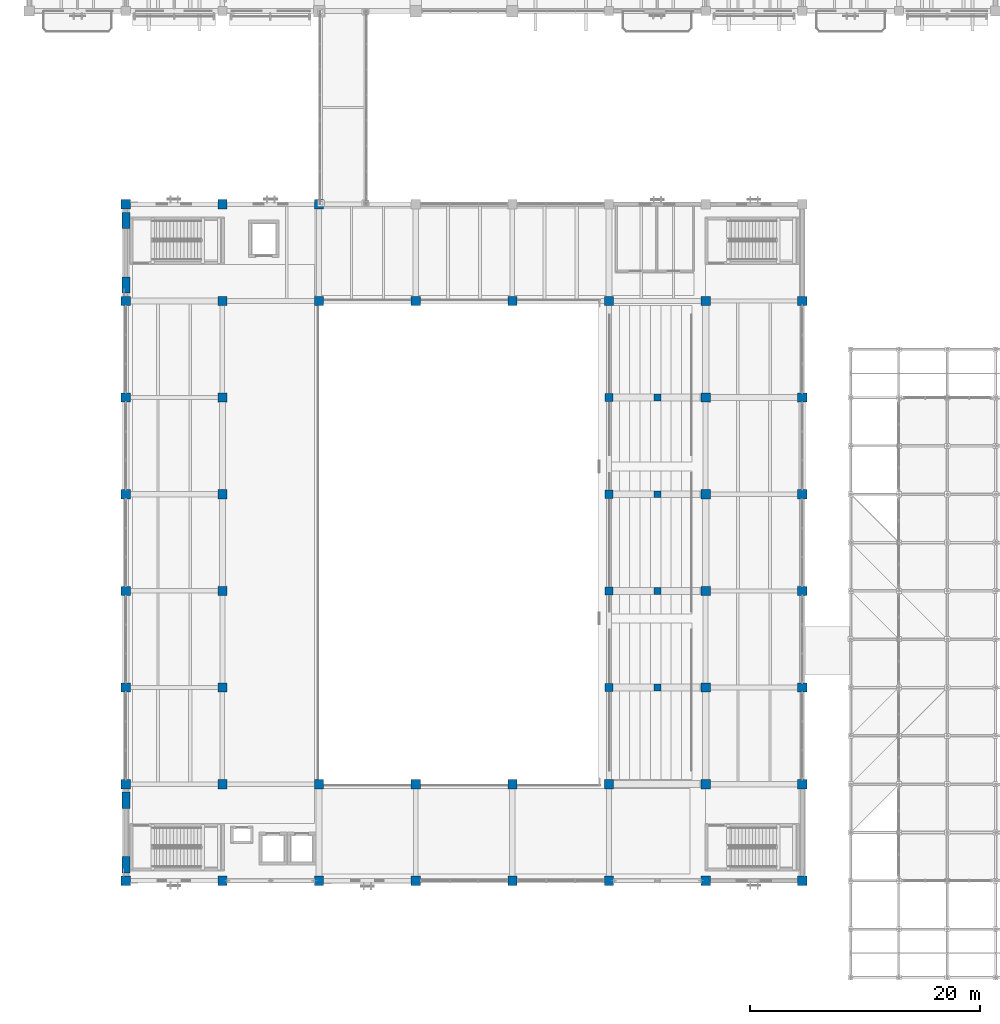
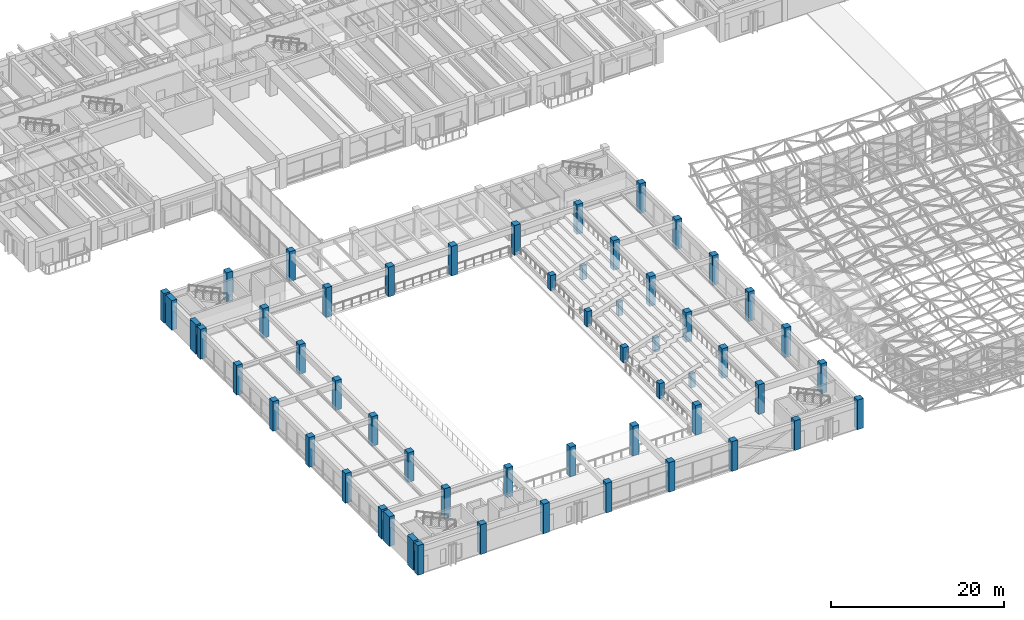
# One storey, part 1 of 132: 55 columns.
"""IFC4 building model written with IfcOpenShell, lengths in metres."""

from ifc_helpers import new_model, si_unit, direction, frame, origin, origin_2d, place, context, subcontext, project, spatial, rectangle, extrude, material, material_profile, profile_set, type_object, element, save


model = new_model("IFC4")

# Units and contexts
model_context = context("Model", 3, precision=1e-05, world=origin(), true_north=direction((0.0, 1.0)))
body_context = subcontext(model_context, "Body", "Model", "MODEL_VIEW")
ifc_project = project(units=[si_unit("LENGTHUNIT", "METRE"), si_unit("AREAUNIT", "SQUARE_METRE"), si_unit("VOLUMEUNIT", "CUBIC_METRE"), si_unit("PLANEANGLEUNIT", "RADIAN"), si_unit("MASSUNIT", "GRAM", prefix="KILO")], contexts=[model_context])

# Site, building, storey
site_placement = place(None, origin())
site = spatial("IfcSite", under=ifc_project, at=site_placement, CompositionType="ELEMENT")
building_placement = place(site_placement, origin())
building = spatial("IfcBuilding", under=site, at=building_placement, Name="Cumbredor Promenade Congress Hotel", CompositionType="ELEMENT")
storey_placement = place(building_placement, frame((0.0, 0.0, 7.56005859375)))
storey = spatial("IfcBuildingStorey", under=building, at=storey_placement, Name="L02", CompositionType="ELEMENT", Elevation=7.56005859375)

# Columns
ifc_material_1 = material(Name="Concrete C40/50", Category="concrete")
ifc_material_profile_1 = material_profile(ifc_material_1, rectangle(XDim=0.60009765625, YDim=0.60009765625, at=origin_2d()), Name="RC 600x600")
ifc_profile_set_1 = profile_set([ifc_material_profile_1], Name="Concrete C40/50")
column_type_1 = type_object("IfcColumnType", Name="COL-RC-600", PredefinedType="COLUMN", material=ifc_profile_set_1)
for number, where, z_axis, x_axis, name in (
    (1, (54.60009765625, 25.199951171875, 0.0), (0.0, 0.0, 1.0), (1.0, 0.0, 0.0), "L02 Balcony Tier Mid-Raker Column Y25"),
    (2, (54.60009765625, 33.60009765625, 0.0), (0.0, 0.0, 1.0), (1.0, 0.0, 0.0), "L02 Balcony Tier Mid-Raker Column Y33"),
    (3, (54.60009765625, 42.0, 0.0), (0.0, 0.0, 1.0), (1.0, 0.0, 0.0), "L02 Balcony Tier Mid-Raker Column Y42"),
    (4, (54.60009765625, 50.39990234375, 0.0), (0.0, 0.0, 1.0), (1.0, 0.0, 0.0), "L02 Balcony Tier Mid-Raker Column Y50"),
):
    element("IfcColumn", number, at=place(storey_placement, frame(where, z_axis=z_axis, x_axis=x_axis)), inside=storey, type_object=column_type_1, Name=name, PredefinedType="COLUMN", context=body_context, shape_type="SweptSolid", body=[
        extrude(rectangle(XDim=0.60009765625, YDim=0.60009765625, at=origin_2d()), origin(), (0.0, 0.0, 1.0), 1.93994140625),
    ])
ifc_material_profile_2 = material_profile(ifc_material_1, rectangle(XDim=0.699951171875, YDim=0.699951171875, at=origin_2d()), Name="RC 700x700")
ifc_profile_set_2 = profile_set([ifc_material_profile_2], Name="Concrete C40/50")
column_type_2 = type_object("IfcColumnType", Name="COL-RC-700", PredefinedType="COLUMN", material=ifc_profile_set_2)
for number, where, z_axis, x_axis, name in (
    (5, (50.39990234375, 25.199951171875, 0.0), (0.0, 0.0, 1.0), (1.0, 0.0, 0.0), "L02 Balcony Bowl Perimeter Column Y25"),
    (6, (50.39990234375, 33.60009765625, 0.0), (0.0, 0.0, 1.0), (1.0, 0.0, 0.0), "L02 Balcony Bowl Perimeter Column Y33"),
    (7, (50.39990234375, 42.0, 0.0), (0.0, 0.0, 1.0), (1.0, 0.0, 0.0), "L02 Balcony Bowl Perimeter Column Y42"),
    (8, (50.39990234375, 50.39990234375, 0.0), (0.0, 0.0, 1.0), (1.0, 0.0, 0.0), "L02 Balcony Bowl Perimeter Column Y50"),
):
    element("IfcColumn", number, at=place(storey_placement, frame(where, z_axis=z_axis, x_axis=x_axis)), inside=storey, type_object=column_type_2, Name=name, PredefinedType="COLUMN", context=body_context, shape_type="SweptSolid", body=[
        extrude(rectangle(XDim=0.699951171875, YDim=0.699951171875, at=origin_2d()), origin(), (0.0, 0.0, 1.0), 2.14990234375),
    ])
ifc_material_2 = material(Name="Concrete C50/60", Category="concrete")
ifc_material_profile_3 = material_profile(ifc_material_2, rectangle(XDim=0.800048828125, YDim=0.800048828125, at=origin_2d()), Name="RC 800x800")
ifc_profile_set_3 = profile_set([ifc_material_profile_3], Name="Concrete C50/60")
column_type_3 = type_object("IfcColumnType", Name="COL-RC-800", PredefinedType="COLUMN", material=ifc_profile_set_3)
for number, where, z_axis, x_axis, name in (
    (9, (8.39990234375, 8.39990234375, 0.0), (0.0, 0.0, 1.0), (1.0, 0.0, 0.0), "L02 Structural Column 006"),
    (10, (8.39990234375, 16.800048828125, 0.0), (0.0, 0.0, 1.0), (1.0, 0.0, 0.0), "L02 Structural Column 007"),
    (11, (8.39990234375, 25.199951171875, 0.0), (0.0, 0.0, 1.0), (1.0, 0.0, 0.0), "L02 Structural Column 008"),
    (12, (8.39990234375, 33.60009765625, 0.0), (0.0, 0.0, 1.0), (1.0, 0.0, 0.0), "L02 Structural Column 009"),
    (13, (8.39990234375, 42.0, 0.0), (0.0, 0.0, 1.0), (1.0, 0.0, 0.0), "L02 Structural Column 010"),
    (14, (8.39990234375, 50.39990234375, 0.0), (0.0, 0.0, 1.0), (1.0, 0.0, 0.0), "L02 Structural Column 011"),
    (15, (8.39990234375, 58.800048828125, 0.0), (0.0, 0.0, 1.0), (1.0, 0.0, 0.0), "L02 Structural Column 012"),
    (16, (8.39990234375, 67.199951171875, 0.0), (0.0, 0.0, 1.0), (1.0, 0.0, 0.0), "L02 Structural Column 013"),
    (17, (16.800048828125, 8.39990234375, 0.0), (0.0, 0.0, 1.0), (1.0, 0.0, 0.0), "L02 Structural Column 019"),
    (18, (16.800048828125, 16.800048828125, 0.0), (0.0, 0.0, 1.0), (1.0, 0.0, 0.0), "L02 Structural Column 020"),
    (19, (16.800048828125, 25.199951171875, 0.0), (0.0, 0.0, 1.0), (1.0, 0.0, 0.0), "L02 Structural Column 021"),
    (20, (16.800048828125, 33.60009765625, 0.0), (0.0, 0.0, 1.0), (1.0, 0.0, 0.0), "L02 Structural Column 022"),
    (21, (16.800048828125, 42.0, 0.0), (0.0, 0.0, 1.0), (1.0, 0.0, 0.0), "L02 Structural Column 023"),
    (22, (16.800048828125, 50.39990234375, 0.0), (0.0, 0.0, 1.0), (1.0, 0.0, 0.0), "L02 Structural Column 024"),
    (23, (16.800048828125, 58.800048828125, 0.0), (0.0, 0.0, 1.0), (1.0, 0.0, 0.0), "L02 Structural Column 025"),
    (24, (16.800048828125, 67.199951171875, 0.0), (0.0, 0.0, 1.0), (1.0, 0.0, 0.0), "L02 Structural Column 026"),
    (25, (25.199951171875, 8.39990234375, 0.0), (0.0, 0.0, 1.0), (1.0, 0.0, 0.0), "L02 Structural Column 032"),
    (26, (25.199951171875, 16.800048828125, 0.0), (0.0, 0.0, 1.0), (1.0, 0.0, 0.0), "L02 Structural Column 033"),
    (27, (25.199951171875, 58.800048828125, 0.0), (0.0, 0.0, 1.0), (1.0, 0.0, 0.0), "L02 Structural Column 034"),
    (28, (25.199951171875, 67.199951171875, 0.0), (0.0, 0.0, 1.0), (1.0, 0.0, 0.0), "L02 Structural Column 035"),
    (29, (33.60009765625, 8.39990234375, 0.0), (0.0, 0.0, 1.0), (1.0, 0.0, 0.0), "L02 Structural Column 040"),
    (30, (33.60009765625, 16.800048828125, 0.0), (0.0, 0.0, 1.0), (1.0, 0.0, 0.0), "L02 Structural Column 041"),
    (31, (33.60009765625, 58.800048828125, 0.0), (0.0, 0.0, 1.0), (1.0, 0.0, 0.0), "L02 Structural Column 042"),
    (32, (42.0, 8.39990234375, 0.0), (0.0, 0.0, 1.0), (1.0, 0.0, 0.0), "L02 Structural Column 048"),
    (33, (42.0, 16.800048828125, 0.0), (0.0, 0.0, 1.0), (1.0, 0.0, 0.0), "L02 Structural Column 049"),
    (34, (42.0, 58.800048828125, 0.0), (0.0, 0.0, 1.0), (1.0, 0.0, 0.0), "L02 Structural Column 050"),
    (35, (50.39990234375, 8.39990234375, 0.0), (0.0, 0.0, 1.0), (1.0, 0.0, 0.0), "L02 Structural Column 056"),
    (36, (50.39990234375, 16.800048828125, 0.0), (0.0, 0.0, 1.0), (1.0, 0.0, 0.0), "L02 Structural Column 057"),
    (37, (50.39990234375, 58.800048828125, 0.0), (0.0, 0.0, 1.0), (1.0, 0.0, 0.0), "L02 Structural Column 058"),
    (38, (58.800048828125, 8.39990234375, 0.0), (0.0, 0.0, 1.0), (1.0, 0.0, 0.0), "L02 Structural Column 065"),
    (39, (58.800048828125, 16.800048828125, 0.0), (0.0, 0.0, 1.0), (1.0, 0.0, 0.0), "L02 Structural Column 066"),
    (40, (58.800048828125, 25.199951171875, 0.0), (0.0, 0.0, 1.0), (1.0, 0.0, 0.0), "L02 Structural Column 067"),
    (41, (58.800048828125, 33.60009765625, 0.0), (0.0, 0.0, 1.0), (1.0, 0.0, 0.0), "L02 Structural Column 068"),
    (42, (58.800048828125, 42.0, 0.0), (0.0, 0.0, 1.0), (1.0, 0.0, 0.0), "L02 Structural Column 069"),
    (43, (58.800048828125, 50.39990234375, 0.0), (0.0, 0.0, 1.0), (1.0, 0.0, 0.0), "L02 Structural Column 070"),
    (44, (58.800048828125, 58.800048828125, 0.0), (0.0, 0.0, 1.0), (1.0, 0.0, 0.0), "L02 Structural Column 071"),
    (45, (67.199951171875, 8.39990234375, 0.0), (0.0, 0.0, 1.0), (1.0, 0.0, 0.0), "L02 Structural Column 078"),
    (46, (67.199951171875, 16.800048828125, 0.0), (0.0, 0.0, 1.0), (1.0, 0.0, 0.0), "L02 Structural Column 079"),
    (47, (67.199951171875, 25.199951171875, 0.0), (0.0, 0.0, 1.0), (1.0, 0.0, 0.0), "L02 Structural Column 080"),
    (48, (67.199951171875, 33.60009765625, 0.0), (0.0, 0.0, 1.0), (1.0, 0.0, 0.0), "L02 Structural Column 081"),
    (49, (67.199951171875, 42.0, 0.0), (0.0, 0.0, 1.0), (1.0, 0.0, 0.0), "L02 Structural Column 082"),
    (50, (67.199951171875, 50.39990234375, 0.0), (0.0, 0.0, 1.0), (1.0, 0.0, 0.0), "L02 Structural Column 083"),
    (51, (67.199951171875, 58.800048828125, 0.0), (0.0, 0.0, 1.0), (1.0, 0.0, 0.0), "L02 Structural Column 084"),
):
    element("IfcColumn", number, at=place(storey_placement, frame(where, z_axis=z_axis, x_axis=x_axis)), inside=storey, type_object=column_type_3, Name=name, PredefinedType="COLUMN", context=body_context, shape_type="SweptSolid", body=[
        extrude(rectangle(XDim=0.800048828125, YDim=0.800048828125, at=origin_2d()), origin(), (0.0, 0.0, 1.0), 4.199951171875),
    ])
ifc_material_profile_4 = material_profile(ifc_material_2, rectangle(XDim=0.699951171875, YDim=1.39990234375, at=origin_2d()), Name="RC PILASTER 1400x700")
ifc_profile_set_4 = profile_set([ifc_material_profile_4], Name="Concrete C50/60")
column_type_4 = type_object("IfcColumnType", Name="PIL-RC-1400x700", PredefinedType="PILASTER", material=ifc_profile_set_4)
for number, where, z_axis, x_axis, name in (
    (52, (8.39990234375, 9.800048828125, 0.0), (0.0, 0.0, 1.0), (1.0, 0.0, 0.0), "L02 Acoustic Seismic Pilaster 033"),
    (53, (8.39990234375, 15.39990234375, 0.0), (0.0, 0.0, 1.0), (1.0, 0.0, 0.0), "L02 Acoustic Seismic Pilaster 034"),
    (54, (8.39990234375, 60.199951171875, 0.0), (0.0, 0.0, 1.0), (1.0, 0.0, 0.0), "L02 Acoustic Seismic Pilaster 035"),
    (55, (8.39990234375, 65.800048828125, 0.0), (0.0, 0.0, 1.0), (1.0, 0.0, 0.0), "L02 Acoustic Seismic Pilaster 036"),
):
    element("IfcColumn", number, at=place(storey_placement, frame(where, z_axis=z_axis, x_axis=x_axis)), inside=storey, type_object=column_type_4, Name=name, PredefinedType="PILASTER", context=body_context, shape_type="SweptSolid", body=[
        extrude(rectangle(XDim=0.699951171875, YDim=1.39990234375, at=origin_2d()), origin(), (0.0, 0.0, 1.0), 4.199951171875),
    ])

save(model, "model.ifc")
